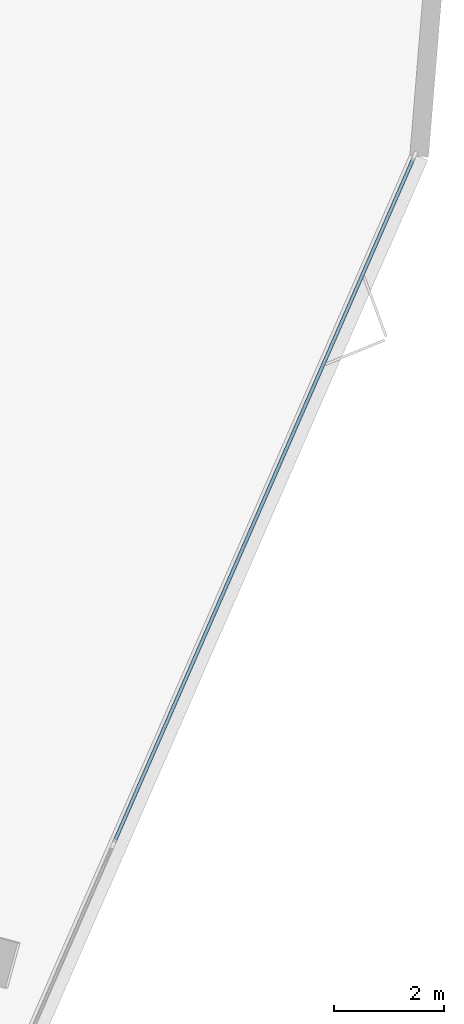
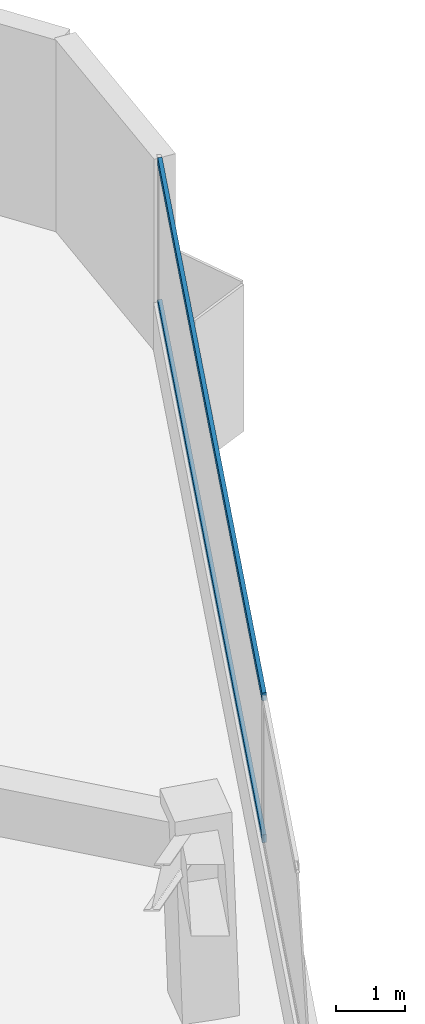
# One storey, part 11 of 20: 2 members, 1 element without a shape of its own.
"""IFC4 building model written with IfcOpenShell, lengths in metres."""

from ifc_helpers import new_model, si_unit, direction, frame, origin, origin_2d, place, context, subcontext, project, spatial, rectangle, extrude, material, layer, layer_set, material_profile, profile_set, type_object, element, aggregate, save


model = new_model("IFC4")

# Units and contexts
model_context = context("Model", 3, precision=1e-05, world=origin(), true_north=direction((0.0, 1.0)))
body_context = subcontext(model_context, "Body", "Model", "MODEL_VIEW")
ifc_project = project(units=[si_unit("LENGTHUNIT", "METRE"), si_unit("AREAUNIT", "SQUARE_METRE"), si_unit("VOLUMEUNIT", "CUBIC_METRE"), si_unit("PLANEANGLEUNIT", "RADIAN"), si_unit("MASSUNIT", "GRAM", prefix="KILO")], contexts=[model_context])

# Site, building, storey
site_placement = place(None, origin())
site = spatial("IfcSite", under=ifc_project, at=site_placement, CompositionType="ELEMENT")
building_placement = place(site_placement, origin())
building = spatial("IfcBuilding", under=site, at=building_placement, Name="Talyreon Biosciences Tower", CompositionType="ELEMENT")
storey_placement = place(building_placement, frame((0.0, 0.0, 75.0)))
storey = spatial("IfcBuildingStorey", under=building, at=storey_placement, Name="L19", CompositionType="ELEMENT", Elevation=75.0)

# Curtain wall, members
ifc_material_1 = material(Name="Thermally broken aluminium and low-E glazing", Category="aluminium")
ifc_layer = layer(ifc_material_1, 0.18994140625)
ifc_layer_set = layer_set([ifc_layer], Name="Thermally broken aluminium and low-E glazing")
curtain_wall_type = type_object("IfcCurtainWallType", Name="CurtainWall_Zone2Genomics", PredefinedType="NOTDEFINED", material=ifc_layer_set)
curtain_wall_placement = place(storey_placement, origin())
curtain_wall = element("IfcCurtainWall", 1, at=curtain_wall_placement, inside=storey, type_object=curtain_wall_type, Name="L19 Unitised Curtain Wall FCW-L19-08", PredefinedType="NOTDEFINED")
ifc_material_2 = material(Name="Anodised thermally broken aluminium", Category="aluminium")
ifc_material_profile = material_profile(ifc_material_2, rectangle(XDim=0.06494140625, YDim=0.139892578125, at=origin_2d()), Name="ALUM TRANSOM 65x140")
ifc_profile_set = profile_set([ifc_material_profile], Name="Anodised thermally broken aluminium")
member_type = type_object("IfcMemberType", Name="CWTransom_65x140", PredefinedType="USERDEFINED", material=ifc_profile_set)
member_1_placement = place(storey_placement, frame((98.0146484375, 83.775146484375, 0.842529296875), z_axis=(-0.400830177027, -0.916152372253, 0.0), x_axis=(0.916152372253, -0.400830177027, 0.0)))
member_1 = element("IfcMember", 2, at=member_1_placement, type_object=member_type, Name="CW3 transom 1.1", ObjectType="TRANSOM", PredefinedType="USERDEFINED", context=body_context, shape_type="SweptSolid", body=[
    extrude(rectangle(XDim=0.06494140625, YDim=0.139892578125, at=origin_2d()), origin(), (0.0, 0.0, 1.0), 13.549072265625),
])
member_2_placement = place(storey_placement, frame((98.0146484375, 83.775146484375, 3.342529296875), z_axis=(-0.400830177027, -0.916152372253, 0.0), x_axis=(0.916152372253, -0.400830177027, 0.0)))
member_2 = element("IfcMember", 3, at=member_2_placement, type_object=member_type, Name="CW3 transom 1.2", ObjectType="TRANSOM", PredefinedType="USERDEFINED", context=body_context, shape_type="SweptSolid", body=[
    extrude(rectangle(XDim=0.06494140625, YDim=0.139892578125, at=origin_2d()), origin(), (0.0, 0.0, 1.0), 13.549072265625),
])
aggregate(curtain_wall, [member_1, member_2])

save(model, "model.ifc")
